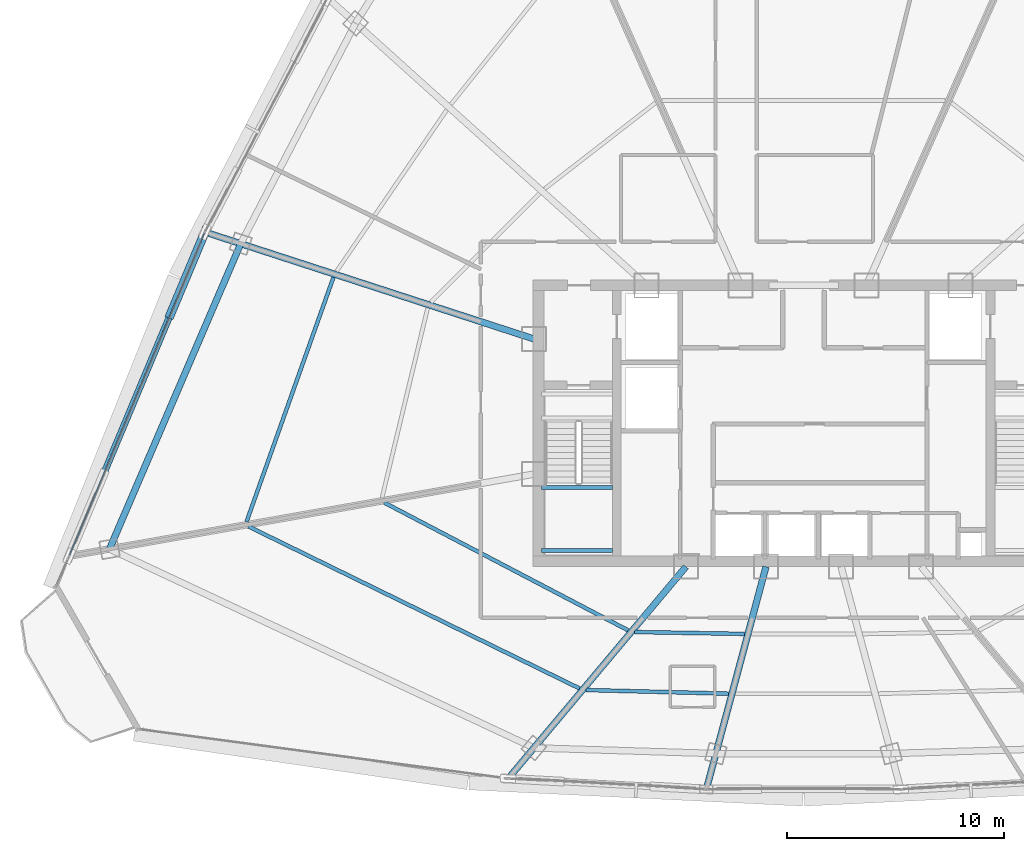
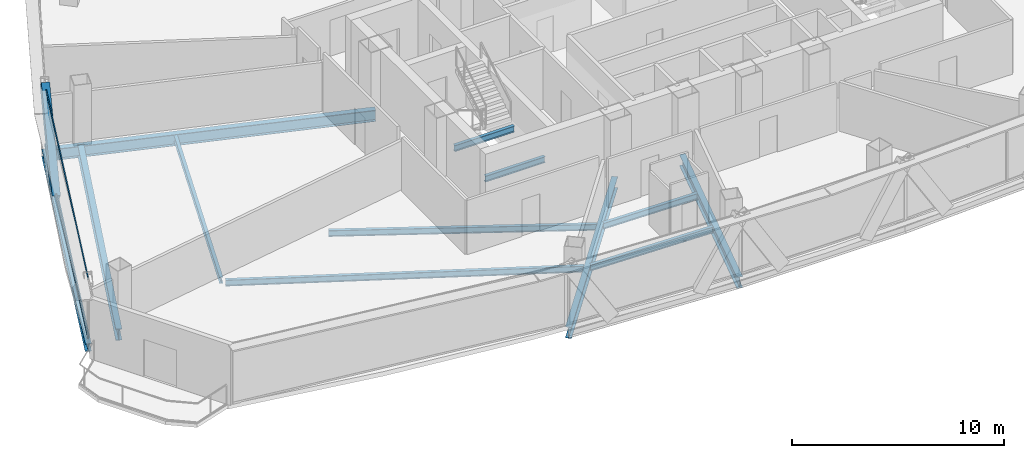
# One storey, part 7 of 37: 12 beams, 3 members, 1 element without a shape of its own.
"""IFC4 building model written with IfcOpenShell, lengths in metres."""

from ifc_helpers import new_model, si_unit, direction, frame, origin, origin_2d, place, context, subcontext, project, spatial, hollow_rectangle, i_section, extrude, source, transform, mapped, material, layer, layer_set, material_profile, profile_set, type_object, element, aggregate, save


model = new_model("IFC4")

# Units and contexts
model_context = context("Model", 3, precision=1e-05, world=origin(), true_north=direction((0.0, 1.0)))
body_context = subcontext(model_context, "Body", "Model", "MODEL_VIEW")
ifc_project = project(units=[si_unit("LENGTHUNIT", "METRE"), si_unit("AREAUNIT", "SQUARE_METRE"), si_unit("VOLUMEUNIT", "CUBIC_METRE"), si_unit("PLANEANGLEUNIT", "RADIAN"), si_unit("MASSUNIT", "GRAM", prefix="KILO"), si_unit("THERMODYNAMICTEMPERATUREUNIT", "KELVIN"), si_unit("POWERUNIT", "WATT")], contexts=[model_context])

# Site, building, storey
site_placement = place(None, origin())
site = spatial("IfcSite", under=ifc_project, at=site_placement, CompositionType="ELEMENT")
building_placement = place(site_placement, origin())
building = spatial("IfcBuilding", under=site, at=building_placement, Name="Yunzhuo Pagoda Commons", CompositionType="ELEMENT")
storey_placement = place(building_placement, frame((0.0, 0.0, 251.989990234375)))
storey = spatial("IfcBuildingStorey", under=building, at=storey_placement, Name="L63", CompositionType="ELEMENT", Elevation=251.989990234375)

# Beams
ifc_material_1 = material(Name="Structural steel Q355B", Category="steel")
ifc_material_profile_1 = material_profile(ifc_material_1, i_section(OverallWidth=0.175048828125, OverallDepth=0.35009765625, WebThickness=0.007080078125, FlangeThickness=0.010986328125, at=origin_2d()), Name="Structural steel Q355B")
ifc_profile_set_1 = profile_set([ifc_material_profile_1], Name="Structural steel Q355B")
beam_type_1 = type_object("IfcBeamType", Name="B-JS2 Joist HN 350x175x7x11", PredefinedType="JOIST", material=ifc_profile_set_1)
shared_shape_1 = source(origin(), body_context, "Body", "SweptSolid", [
    extrude(i_section(OverallWidth=0.175048828125, OverallDepth=0.35009765625, WebThickness=0.007080078125, FlangeThickness=0.010986328125, at=origin_2d()), origin(), (0.0, 0.0, 1.0), 3.25),
])
for number, where, z_axis, x_axis, name in (
    (1, (35.949951171875, 28.0, 1.490234375), (1.0, 0.0, 0.0), (0.0, 1.0, 0.0), "L63 ST1 landing support beam 69A"),
    (2, (35.949951171875, 30.89990234375, 1.490234375), (1.0, 0.0, 0.0), (0.0, 1.0, 0.0), "L63 ST1 landing support beam 69B"),
):
    element("IfcBeam", number, at=place(storey_placement, frame(where, z_axis=z_axis, x_axis=x_axis)), inside=storey, type_object=beam_type_1, Name=name, PredefinedType="JOIST", context=body_context, shape_type="MappedRepresentation", body=[
        mapped(shared_shape_1, transform((0.0, 0.0, 0.0), scale=1.0)),
    ])
ifc_material_profile_2 = material_profile(ifc_material_1, i_section(OverallWidth=0.300048828125, OverallDepth=0.64990234375, WebThickness=0.012939453125, FlangeThickness=0.02197265625, at=origin_2d()), Name="Structural steel Q355B")
ifc_profile_set_2 = profile_set([ifc_material_profile_2], Name="Structural steel Q355B")
beam_type_2 = type_object("IfcBeamType", Name="B-RG2 Beam HN 650x300x13x22", PredefinedType="BEAM", material=ifc_profile_set_2)
shared_shape_2 = source(origin(), body_context, "Body", "SweptSolid", [
    extrude(i_section(OverallWidth=0.300048828125, OverallDepth=0.64990234375, WebThickness=0.012939453125, FlangeThickness=0.02197265625, at=origin_2d()), origin(), (0.0, 0.0, 1.0), 15.287841796875),
])
beam_1_placement = place(storey_placement, frame((22.101806640625, 42.114990234375, -0.5849609375), z_axis=(-0.394815333819, -0.918760497726, 0.0), x_axis=(0.918760497726, -0.394815333819, 0.0)))
element("IfcBeam", 3, at=beam_1_placement, inside=storey, type_object=beam_type_2, Name="L63 column-ring beam 11", PredefinedType="BEAM", context=body_context, shape_type="MappedRepresentation", body=[
    mapped(shared_shape_2, transform((0.0, 0.0, 0.0), scale=1.0)),
])
shared_shape_3 = source(origin(), body_context, "Body", "SweptSolid", [
    extrude(i_section(OverallWidth=0.175048828125, OverallDepth=0.35009765625, WebThickness=0.007080078125, FlangeThickness=0.010986328125, at=origin_2d()), origin(), (0.0, 0.0, 1.0), 5.0556640625),
])
beam_2_placement = place(storey_placement, frame((40.228515625, 24.24609375, -0.43505859375), z_axis=(0.999848878561, -0.017384477, 0.0), x_axis=(0.017384477, 0.999848878561, 0.0)))
element("IfcBeam", 4, at=beam_2_placement, inside=storey, type_object=beam_type_1, Name="L63 composite ring joist 1.1", PredefinedType="JOIST", context=body_context, shape_type="MappedRepresentation", body=[
    mapped(shared_shape_3, transform((0.0, 0.0, 0.0), scale=1.0)),
])
shared_shape_4 = source(origin(), body_context, "Body", "SweptSolid", [
    extrude(i_section(OverallWidth=0.175048828125, OverallDepth=0.35009765625, WebThickness=0.007080078125, FlangeThickness=0.010986328125, at=origin_2d()), origin(), (0.0, 0.0, 1.0), 6.558349609375),
])
beam_3_placement = place(storey_placement, frame((37.990234375, 21.577392578125, -0.43505859375), z_axis=(0.99966910323, -0.025723220017, 0.0), x_axis=(0.025723220017, 0.99966910323, 0.0)))
element("IfcBeam", 5, at=beam_3_placement, inside=storey, type_object=beam_type_1, Name="L63 composite ring joist 2.1", PredefinedType="JOIST", context=body_context, shape_type="MappedRepresentation", body=[
    mapped(shared_shape_4, transform((0.0, 0.0, 0.0), scale=1.0)),
])
shared_shape_5 = source(origin(), body_context, "Body", "SweptSolid", [
    extrude(i_section(OverallWidth=0.175048828125, OverallDepth=0.35009765625, WebThickness=0.007080078125, FlangeThickness=0.010986328125, at=origin_2d()), origin(), (0.0, 0.0, 1.0), 12.666259765625),
])
beam_4_placement = place(storey_placement, frame((28.70849609375, 30.19970703125, -0.43505859375), z_axis=(0.885841344078, -0.463988268302, 0.0), x_axis=(0.463988268302, 0.885841344078, 0.0)))
element("IfcBeam", 6, at=beam_4_placement, inside=storey, type_object=beam_type_1, Name="L63 composite ring joist 1.12", PredefinedType="JOIST", context=body_context, shape_type="MappedRepresentation", body=[
    mapped(shared_shape_5, transform((0.0, 0.0, 0.0), scale=1.0)),
])
shared_shape_6 = source(origin(), body_context, "Body", "SweptSolid", [
    extrude(i_section(OverallWidth=0.175048828125, OverallDepth=0.35009765625, WebThickness=0.007080078125, FlangeThickness=0.010986328125, at=origin_2d()), origin(), (0.0, 0.0, 1.0), 16.95361328125),
])
beam_5_placement = place(storey_placement, frame((22.459716796875, 29.101806640625, -0.43505859375), z_axis=(0.898261717675, -0.439460904473, 0.0), x_axis=(0.439460904473, 0.898261717675, 0.0)))
element("IfcBeam", 7, at=beam_5_placement, inside=storey, type_object=beam_type_1, Name="L63 composite ring joist 2.12", PredefinedType="JOIST", context=body_context, shape_type="MappedRepresentation", body=[
    mapped(shared_shape_6, transform((0.0, 0.0, 0.0), scale=1.0)),
])
shared_shape_7 = source(origin(), body_context, "Body", "SweptSolid", [
    extrude(i_section(OverallWidth=0.175048828125, OverallDepth=0.35009765625, WebThickness=0.007080078125, FlangeThickness=0.010986328125, at=origin_2d()), origin(), (0.0, 0.0, 1.0), 11.929931640625),
])
beam_6_placement = place(storey_placement, frame((26.36767578125, 40.5615234375, -0.43505859375), z_axis=(-0.335086374925, -0.942187413066, 0.0), x_axis=(0.942187413066, -0.335086374925, 0.0)))
element("IfcBeam", 8, at=beam_6_placement, inside=storey, type_object=beam_type_1, Name="L63 composite ring joist 2.11", PredefinedType="JOIST", context=body_context, shape_type="MappedRepresentation", body=[
    mapped(shared_shape_7, transform((0.0, 0.0, 0.0), scale=1.0)),
])
shared_shape_8 = source(origin(), body_context, "Body", "SweptSolid", [
    extrude(i_section(OverallWidth=0.300048828125, OverallDepth=0.64990234375, WebThickness=0.012939453125, FlangeThickness=0.02197265625, at=origin_2d()), origin(), (0.0, 0.0, 1.0), 12.575927734375),
])
beam_7_placement = place(storey_placement, frame((34.504150390625, 17.6162109375, -0.5849609375), z_axis=(0.642789074184, 0.766043214258, 0.0), x_axis=(-0.766043214258, 0.642789074184, 0.0)))
element("IfcBeam", 9, at=beam_7_placement, inside=storey, type_object=beam_type_2, Name="L63 radial floor girder F1C1", PredefinedType="BEAM", context=body_context, shape_type="MappedRepresentation", body=[
    mapped(shared_shape_8, transform((0.0, 0.0, 0.0), scale=1.0)),
])
shared_shape_9 = source(origin(), body_context, "Body", "SweptSolid", [
    extrude(i_section(OverallWidth=0.300048828125, OverallDepth=0.64990234375, WebThickness=0.012939453125, FlangeThickness=0.02197265625, at=origin_2d()), origin(), (0.0, 0.0, 1.0), 10.4521484375),
])
beam_8_placement = place(storey_placement, frame((43.56640625, 17.154052734375, -0.5849609375), z_axis=(0.258851670318, 0.965917083798, 0.0), x_axis=(-0.965917083798, 0.258851670318, 0.0)))
element("IfcBeam", 10, at=beam_8_placement, inside=storey, type_object=beam_type_2, Name="L63 radial floor girder F1C2", PredefinedType="BEAM", context=body_context, shape_type="MappedRepresentation", body=[
    mapped(shared_shape_9, transform((0.0, 0.0, 0.0), scale=1.0)),
])
shared_shape_10 = source(origin(), body_context, "Body", "SweptSolid", [
    extrude(i_section(OverallWidth=0.300048828125, OverallDepth=0.64990234375, WebThickness=0.012939453125, FlangeThickness=0.02197265625, at=origin_2d()), origin(), (0.0, 0.0, 1.0), 15.7705078125),
])
beam_9_placement = place(storey_placement, frame((20.601318359375, 42.602294921875, -0.5849609375), z_axis=(0.951058525128, -0.309010811754, 0.0), x_axis=(0.309010811754, 0.951058525128, 0.0)))
element("IfcBeam", 11, at=beam_9_placement, inside=storey, type_object=beam_type_2, Name="L63 radial floor girder F3C3", PredefinedType="BEAM", context=body_context, shape_type="MappedRepresentation", body=[
    mapped(shared_shape_10, transform((0.0, 0.0, 0.0), scale=1.0)),
])
ifc_material_profile_3 = material_profile(ifc_material_1, i_section(OverallWidth=0.300048828125, OverallDepth=0.43994140625, WebThickness=0.010986328125, FlangeThickness=0.01806640625, at=origin_2d()), Name="Structural steel Q355B")
ifc_profile_set_3 = profile_set([ifc_material_profile_3], Name="Structural steel Q355B")
beam_type_3 = type_object("IfcBeamType", Name="B-SP2 Beam HM 440x300x11x18", PredefinedType="BEAM", material=ifc_profile_set_3)
shared_shape_11 = source(origin(), body_context, "Body", "SweptSolid", [
    extrude(i_section(OverallWidth=0.300048828125, OverallDepth=0.43994140625, WebThickness=0.010986328125, FlangeThickness=0.01806640625, at=origin_2d()), origin(), (0.0, 0.0, 1.0), 16.160888671875),
])
beam_10_placement = place(storey_placement, frame((20.453857421875, 42.650390625, -0.47998046875), z_axis=(-0.386114471907, -0.922450873805, 0.0), x_axis=(0.922450873805, -0.386114471907, 0.0)))
element("IfcBeam", 12, at=beam_10_placement, inside=storey, type_object=beam_type_3, Name="L63 facade edge spandrel beam F3.3", PredefinedType="BEAM", context=body_context, shape_type="MappedRepresentation", body=[
    mapped(shared_shape_11, transform((0.0, 0.0, 0.0), scale=1.0)),
])

# Member
ifc_material_profile_4 = material_profile(ifc_material_1, hollow_rectangle(XDim=0.39990234375, YDim=0.719970703125, WallThickness=0.02392578125, at=origin_2d()), Name="Structural steel Q355B")
ifc_profile_set_4 = profile_set([ifc_material_profile_4], Name="Structural steel Q355B")
member_type_1 = type_object("IfcMemberType", Name="M-DL2 Brace BOX 720x400x24", PredefinedType="BRACE", material=ifc_profile_set_4)
shared_shape_12 = source(origin(), body_context, "Body", "SweptSolid", [
    extrude(hollow_rectangle(XDim=0.39990234375, YDim=0.719970703125, WallThickness=0.02392578125, at=origin_2d()), origin(), (0.0, 0.0, 1.0), 5.498779296875),
])
member_1_placement = place(storey_placement, frame((18.893798828125, 38.92333984375, -0.259765625), z_axis=(0.28371444396, 0.67780668255, 0.678295079872), x_axis=(-0.922449997595, 0.386116565219, 0.0)))
element("IfcMember", 13, at=member_1_placement, inside=storey, type_object=member_type_1, Name="L63 facade diamond brace F3.3L", PredefinedType="BRACE", context=body_context, shape_type="MappedRepresentation", body=[
    mapped(shared_shape_12, transform((0.0, 0.0, 0.0), scale=1.0)),
])

# Curtain wall, members
ifc_material_2 = material(Name="Anodized aluminium 6063-T6", Category="aluminium")
ifc_layer = layer(ifc_material_2, 0.139892578125)
ifc_layer_set = layer_set([ifc_layer], Name="Anodized aluminium 6063-T6")
curtain_wall_type = type_object("IfcCurtainWallType", Name="CW-HI High-Zone Ribbon Curtain Wall", PredefinedType="NOTDEFINED", material=ifc_layer_set)
curtain_wall_placement = place(storey_placement, origin())
curtain_wall = element("IfcCurtainWall", 14, at=curtain_wall_placement, inside=storey, type_object=curtain_wall_type, Name="L63 curtain wall CW-L63-F3B4", PredefinedType="NOTDEFINED")
ifc_material_profile_5 = material_profile(ifc_material_2, hollow_rectangle(XDim=0.054931640625, YDim=0.1201171875, WallThickness=0.00341796875, at=origin_2d()), Name="Anodized aluminium 6063-T6")
ifc_profile_set_5 = profile_set([ifc_material_profile_5], Name="Anodized aluminium 6063-T6")
member_type_2 = type_object("IfcMemberType", Name="CW-HI-T Transom RHS 120x55x3.5", PredefinedType="USERDEFINED", material=ifc_profile_set_5)
shared_shape_13 = source(origin(), body_context, "Body", "SweptSolid", [
    extrude(hollow_rectangle(XDim=0.054931640625, YDim=0.1201171875, WallThickness=0.00341796875, at=origin_2d()), origin(), (0.0, 0.0, 1.0), 16.041015625),
])
member_2_placement = place(storey_placement, frame((20.4306640625, 42.594970703125, 0.027587890625), z_axis=(-0.386096525634, -0.922458385453, 0.0), x_axis=(0.922458385453, -0.386096525634, 0.0)))
member_2 = element("IfcMember", 15, at=member_2_placement, type_object=member_type_2, Name="CW transom 1.1", ObjectType="TRANSOM", PredefinedType="USERDEFINED", context=body_context, shape_type="MappedRepresentation", body=[
    mapped(shared_shape_13, transform((0.0, 0.0, 0.0), scale=1.0)),
])
member_3_placement = place(storey_placement, frame((20.4306640625, 42.594970703125, 3.442626953125), z_axis=(-0.386096525634, -0.922458385453, 0.0), x_axis=(0.922458385453, -0.386096525634, 0.0)))
member_3 = element("IfcMember", 16, at=member_3_placement, type_object=member_type_2, Name="CW transom 1.2", ObjectType="TRANSOM", PredefinedType="USERDEFINED", context=body_context, shape_type="MappedRepresentation", body=[
    mapped(shared_shape_13, transform((0.0, 0.0, 0.0), scale=1.0)),
])
aggregate(curtain_wall, [member_2, member_3])

save(model, "model.ifc")
